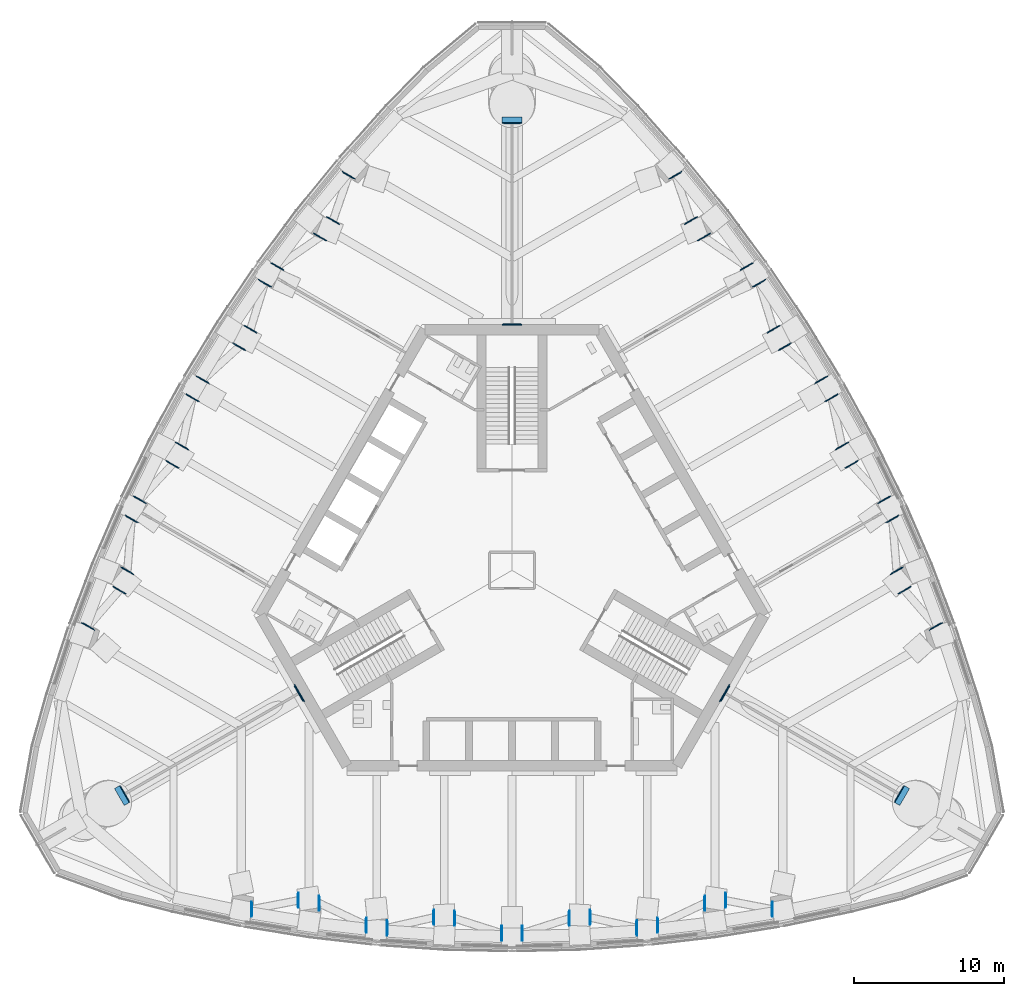
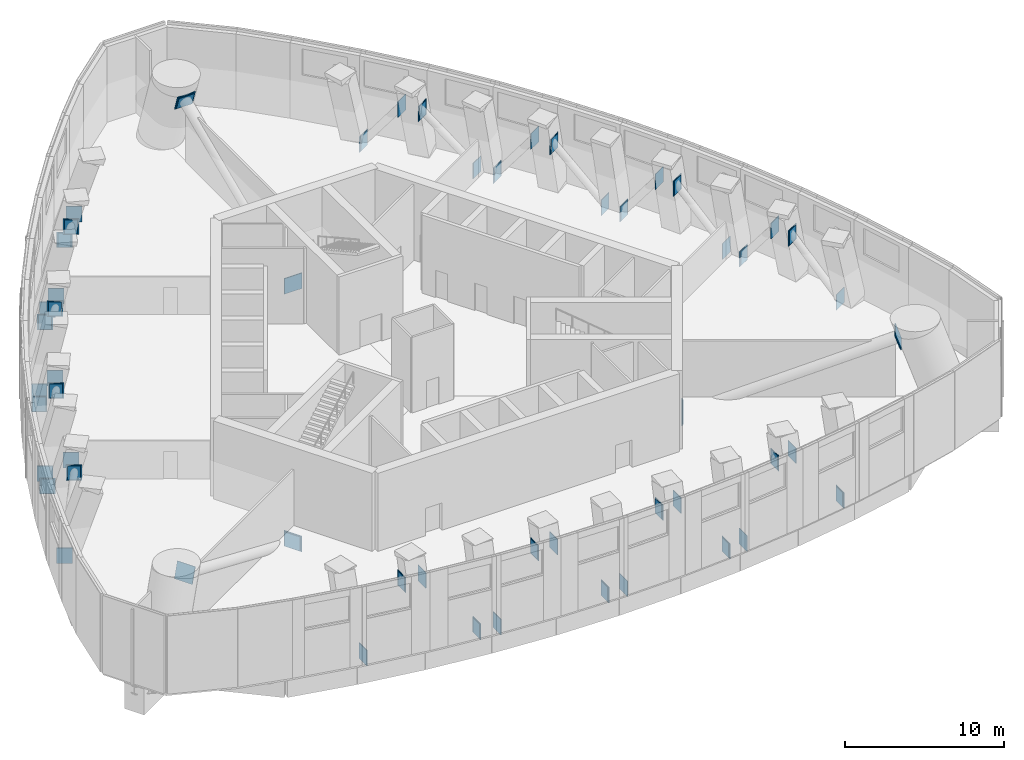
# One storey, part 10 of 22: 54 discrete accessories.
"""IFC4 building model written with IfcOpenShell, lengths in metres."""

import ifcopenshell
import ifcopenshell.guid

model = None  # the IFC model being written
_history = None  # IfcOwnerHistory: only IFC2X3 demands one
_inside = {}  # id of a spatial element -> (the spatial element, [elements in it])
_under = {}  # id of a project, library or spatial element -> (it, [spatial elements below it])
_declared = {}  # id of a project -> (the project, [libraries it declares])
_typed = {}  # id of a type object -> (the type object, [elements of that type])
_made_of = {}  # id of a material, layer set ... -> (it, [elements and type objects made of it])


def new_model(schema):
    """Start an empty IFC model of exactly this schema.

    Asked for "IFC4X3", IfcOpenShell would pick the latest addendum, in which some entities
    have other attributes; the version numbers below select the first issue.
    IFC2X3 requires an IfcOwnerHistory on every rooted entity: one is made here for all.
    """
    global model, _history
    if schema == "IFC4X3":
        model = ifcopenshell.file(schema_version=(4, 3, 0, 0))
    else:
        model = ifcopenshell.file(schema=schema)
    _inside.clear()
    _under.clear()
    _declared.clear()
    _typed.clear()
    _made_of.clear()
    _history = None
    if model.schema == "IFC2X3":
        org = make("IfcOrganization", Name="unknown")
        user = make(
            "IfcPersonAndOrganization",
            ThePerson=make("IfcPerson", FamilyName="unknown"),
            TheOrganization=org,
        )
        app = make(
            "IfcApplication",
            ApplicationDeveloper=org,
            Version="unknown",
            ApplicationFullName="unknown",
            ApplicationIdentifier="unknown",
        )
        _history = make(
            "IfcOwnerHistory",
            OwningUser=user,
            OwningApplication=app,
            ChangeAction="ADDED",
            CreationDate=0,
        )
    return model


def make(cls, **values):
    """One entity of the class cls with the attributes given. An attribute that is None is left unset."""
    return model.create_entity(
        cls, **{name: value for name, value in values.items() if value is not None}
    )


def rooted(cls, **values):
    """An entity with a GlobalId (a new one), such as an element, a storey or a relation."""
    return make(cls, GlobalId=ifcopenshell.guid.new(), OwnerHistory=_history, **values)


def si_unit(unit_type, name, prefix=None):
    """IfcSIUnit, for example si_unit("LENGTHUNIT", "METRE", prefix="MILLI")."""
    return make("IfcSIUnit", UnitType=unit_type, Prefix=prefix, Name=name)


def assignment(units):
    """IfcUnitAssignment: the units of a project."""
    return None if units is None else make("IfcUnitAssignment", Units=units)


def point(xyz):
    """IfcCartesianPoint."""
    return None if xyz is None else make("IfcCartesianPoint", Coordinates=xyz)


def direction(xyz):
    """IfcDirection."""
    return None if xyz is None else make("IfcDirection", DirectionRatios=xyz)


def frame(location, z_axis=None, x_axis=None):
    """IfcAxis2Placement3D, a coordinate frame: its origin and axes. An axis left out is left unset."""
    return make(
        "IfcAxis2Placement3D",
        Location=point(location),
        Axis=direction(z_axis),
        RefDirection=direction(x_axis),
    )


def frame_2d(location, x_axis=None):
    """IfcAxis2Placement2D, a coordinate frame in the plane: its origin and x axis."""
    return make(
        "IfcAxis2Placement2D", Location=point(location), RefDirection=direction(x_axis)
    )


def origin():
    """The frame at (0, 0, 0) with its axes left unset."""
    return frame((0.0, 0.0, 0.0))


def origin_2d():
    """The frame at (0, 0) in the plane with its x axis left unset."""
    return frame_2d((0.0, 0.0))


def place(relative_to, where):
    """IfcLocalPlacement: puts the frame where relative to a parent placement (None: the world)."""
    return make(
        "IfcLocalPlacement", PlacementRelTo=relative_to, RelativePlacement=where
    )


def context(
    kind, dimensions, precision=None, world=None, true_north=None, identifier=None
):
    """IfcGeometricRepresentationContext, for example the 3D "Model" context."""
    return make(
        "IfcGeometricRepresentationContext",
        ContextIdentifier=identifier,
        ContextType=kind,
        CoordinateSpaceDimension=dimensions,
        Precision=precision,
        WorldCoordinateSystem=world,
        TrueNorth=true_north,
    )


def subcontext(parent, identifier, kind, view, scale=None):
    """IfcGeometricRepresentationSubContext, for example "Body" below "Model"."""
    return make(
        "IfcGeometricRepresentationSubContext",
        ContextIdentifier=identifier,
        ContextType=kind,
        ParentContext=parent,
        TargetScale=scale,
        TargetView=view,
    )


def project(units=None, contexts=None):
    """IfcProject with its units and contexts."""
    return rooted(
        "IfcProject",
        Name="project",
        RepresentationContexts=contexts,
        UnitsInContext=assignment(units),
    )


def spatial(cls, under=None, at=None, **own):
    """A site, building, storey or space (cls), placed at a placement, below another one or the project."""
    s = rooted(cls, ObjectPlacement=at, **own)
    if under is not None:
        _under.setdefault(under.id(), (under, []))[1].append(s)
    return s


def profile(cls, at=None, kind="AREA", **sizes):
    """A parametric profile (cls). Its sizes go by their IFC names, for example OverallWidth=200.0."""
    return make(cls, ProfileType=kind, Position=at, **sizes)


def rectangle(**sizes):
    """IfcRectangleProfileDef."""
    return profile("IfcRectangleProfileDef", **sizes)


def extrude(swept, where, along, depth):
    """IfcExtrudedAreaSolid: the profile swept, set in the frame where, extruded along a direction by depth."""
    return make(
        "IfcExtrudedAreaSolid",
        SweptArea=swept,
        Position=where,
        ExtrudedDirection=direction(along),
        Depth=depth,
    )


def shape(context_of_items, identifier, shape_type, items):
    """IfcShapeRepresentation: the items that make up one representation, for example the "Body"."""
    return make(
        "IfcShapeRepresentation",
        ContextOfItems=context_of_items,
        RepresentationIdentifier=identifier,
        RepresentationType=shape_type,
        Items=items,
    )


def material(Name=None, Category=None):
    """IfcMaterial."""
    return make("IfcMaterial", Name=Name, Category=Category)


def made_of(thing, what):
    """Note that an element or type object is made of a material, layer set ...; save() writes the relation."""
    if what is not None:
        _made_of.setdefault(what.id(), (what, []))[1].append(thing)
    return thing


def type_object(cls, material=None, **own):
    """A type object (cls), such as IfcWallType, which elements share."""
    return made_of(rooted(cls, **own), material)


def element(
    cls,
    number,
    at=None,
    inside=None,
    cuts=None,
    type_object=None,
    material=None,
    context=None,
    identifier="Body",
    shape_type=None,
    held_by="IfcProductDefinitionShape",
    body=None,
    shapes=None,
    **own,
):
    """One element of the class cls, such as IfcWall. Its Tag is "e" and its number.

    at: its placement. inside: the storey or other place that contains it. cuts: it is an
    opening in that element (IfcRelVoidsElement). A single representation is given by context,
    identifier, shape_type and body (its items); several are given by shapes. held_by: the class
    of the entity that holds the representations. save() writes the other relations.
    """
    e = rooted(cls, Tag="e%d" % number, ObjectPlacement=at, **own)
    if body is not None:
        shapes = [shape(context, identifier, shape_type, body)]
    if shapes is not None:
        e.Representation = make(held_by, Representations=shapes)
    if inside is not None:
        _inside.setdefault(inside.id(), (inside, []))[1].append(e)
    if cuts is not None:
        rooted(
            "IfcRelVoidsElement", RelatingBuildingElement=cuts, RelatedOpeningElement=e
        )
    if type_object is not None:
        _typed.setdefault(type_object.id(), (type_object, []))[1].append(e)
    return made_of(e, material)


def aggregate(whole, parts):
    """IfcRelAggregates: a whole, such as a stair, and the parts it consists of."""
    return rooted("IfcRelAggregates", RelatingObject=whole, RelatedObjects=parts)


def save(model, path):
    """Write the relations noted so far, then the file.

    IfcRelAggregates (storeys below a building ...), IfcRelContainedInSpatialStructure (elements
    in a storey), IfcRelDefinesByType, IfcRelAssociatesMaterial and IfcRelDeclares: one each for
    every whole, place, type object, material and project.
    """
    for whole, parts in _under.values():
        aggregate(whole, parts)
    for where, things in _inside.values():
        rooted(
            "IfcRelContainedInSpatialStructure",
            RelatedElements=things,
            RelatingStructure=where,
        )
    for kind, things in _typed.values():
        rooted("IfcRelDefinesByType", RelatedObjects=things, RelatingType=kind)
    for what, things in _made_of.values():
        rooted("IfcRelAssociatesMaterial", RelatedObjects=things, RelatingMaterial=what)
    for by, libraries in _declared.values():
        rooted("IfcRelDeclares", RelatingContext=by, RelatedDefinitions=libraries)
    model.write(path)


model = new_model("IFC4")

# Units and contexts
model_context = context("Model", 3, precision=1e-05, world=origin(), true_north=direction((0.0, 1.0)))
body_context = subcontext(model_context, "Body", "Model", "MODEL_VIEW")
ifc_project = project(units=[si_unit("LENGTHUNIT", "METRE"), si_unit("AREAUNIT", "SQUARE_METRE"), si_unit("VOLUMEUNIT", "CUBIC_METRE"), si_unit("PLANEANGLEUNIT", "RADIAN"), si_unit("MASSUNIT", "GRAM", prefix="KILO")], contexts=[model_context])

# Site, building, storey
site_placement = place(None, origin())
site = spatial("IfcSite", under=ifc_project, at=site_placement, CompositionType="ELEMENT")
building_placement = place(site_placement, origin())
building = spatial("IfcBuilding", under=site, at=building_placement, Name="Trefoil Bronze Tower", CompositionType="ELEMENT")
storey_placement = place(building_placement, frame((0.0, 0.0, 265.300048828125)))
storey = spatial("IfcBuildingStorey", under=building, at=storey_placement, Name="L61", CompositionType="ELEMENT", Elevation=265.300048828125)

# Discrete accessories
ifc_material = material(Name="Steel C355", Category="steel")
discrete_accessory_type = type_object("IfcDiscreteAccessoryType", Name="End plate and cast-in plate of a brace connection", PredefinedType="USERDEFINED", material=ifc_material)
for number, where, z_axis, x_axis, name in (
    (1, (-17.300048828125, -22.5341796875, -0.10888671875), (0.0, 0.0, 1.0), (1.0, 0.0, 0.0), "Belt truss diagonal F1.1 L61 end plate and cast-in plate, lower end"),
    (2, (-14.199951171875, -21.9375, 4.058837890625), (0.0, 0.0, 1.0), (-1.0, 0.0, 0.0), "Belt truss diagonal F1.1 L61 end plate and cast-in plate, upper end"),
    (3, (-9.699951171875, -23.6015625, -0.10888671875), (0.0, 0.0, 1.0), (-1.0, 0.0, 0.0), "Belt truss diagonal F1.2 L61 end plate and cast-in plate, lower end"),
    (4, (-12.800048828125, -22.134033203125, 4.058837890625), (0.0, 0.0, 1.0), (1.0, 0.0, 0.0), "Belt truss diagonal F1.2 L61 end plate and cast-in plate, upper end"),
    (5, (-8.300048828125, -23.7744140625, -0.10888671875), (0.0, 0.0, 1.0), (1.0, 0.0, 0.0), "Belt truss diagonal F1.3 L61 end plate and cast-in plate, lower end"),
    (6, (-5.199951171875, -23.072509765625, 4.058837890625), (0.0, 0.0, 1.0), (-1.0, 0.0, 0.0), "Belt truss diagonal F1.3 L61 end plate and cast-in plate, upper end"),
    (7, (-0.699951171875, -24.127197265625, -0.10888671875), (0.0, 0.0, 1.0), (-1.0, 0.0, 0.0), "Belt truss diagonal F1.4 L61 end plate and cast-in plate, lower end"),
    (8, (-3.800048828125, -23.137451171875, 4.058837890625), (0.0, 0.0, 1.0), (1.0, 0.0, 0.0), "Belt truss diagonal F1.4 L61 end plate and cast-in plate, upper end"),
    (9, (0.699951171875, -24.127197265625, -0.10888671875), (0.0, 0.0, 1.0), (1.0, 0.0, 0.0), "Belt truss diagonal F1.5 L61 end plate and cast-in plate, lower end"),
    (10, (3.800048828125, -23.137451171875, 4.058837890625), (0.0, 0.0, 1.0), (-1.0, 0.0, 0.0), "Belt truss diagonal F1.5 L61 end plate and cast-in plate, upper end"),
    (11, (8.300048828125, -23.7744140625, -0.10888671875), (0.0, 0.0, 1.0), (-1.0, 0.0, 0.0), "Belt truss diagonal F1.6 L61 end plate and cast-in plate, lower end"),
    (12, (5.199951171875, -23.072509765625, 4.058837890625), (0.0, 0.0, 1.0), (1.0, 0.0, 0.0), "Belt truss diagonal F1.6 L61 end plate and cast-in plate, upper end"),
    (13, (9.699951171875, -23.6015625, -0.10888671875), (0.0, 0.0, 1.0), (1.0, 0.0, 0.0), "Belt truss diagonal F1.7 L61 end plate and cast-in plate, lower end"),
    (14, (12.800048828125, -22.134033203125, 4.058837890625), (0.0, 0.0, 1.0), (-1.0, 0.0, 0.0), "Belt truss diagonal F1.7 L61 end plate and cast-in plate, upper end"),
    (15, (17.300048828125, -22.5341796875, -0.10888671875), (0.0, 0.0, 1.0), (-1.0, 0.0, 0.0), "Belt truss diagonal F1.8 L61 end plate and cast-in plate, lower end"),
    (16, (14.199951171875, -21.9375, 4.058837890625), (0.0, 0.0, 1.0), (1.0, 0.0, 0.0), "Belt truss diagonal F1.8 L61 end plate and cast-in plate, upper end"),
):
    element("IfcDiscreteAccessory", number, at=place(storey_placement, frame(where, z_axis=z_axis, x_axis=x_axis)), inside=storey, type_object=discrete_accessory_type, Name=name, ObjectType="END PLATE AND CAST-IN PLATE", PredefinedType="USERDEFINED", context=body_context, shape_type="SweptSolid", body=[
        extrude(rectangle(XDim=0.030029296875, YDim=0.827880859375, at=origin_2d()), frame((0.01513671875, 0.0, -0.550048828125)), (0.0, 0.0, 1.0), 1.10009765625),
        extrude(rectangle(XDim=0.0400390625, YDim=1.0, at=origin_2d()), frame((-0.02001953125, 0.0, -0.60009765625)), (0.0, 0.0, 1.0), 1.199951171875),
    ])
for number, where, z_axis, x_axis, name in (
    (17, (28.165283203125, -3.715087890625, -0.10888671875), (0.0, 0.0, 1.0), (-0.499999999907, 0.866025403838, 0.0), "Belt truss diagonal F2.1 L61 end plate and cast-in plate, lower end"),
    (18, (26.098388671875, -1.328857421875, 4.058837890625), (0.0, 0.0, 1.0), (0.499999999907, -0.866025403838, 0.0), "Belt truss diagonal F2.1 L61 end plate and cast-in plate, upper end"),
    (19, (25.28955078125, 3.400390625, -0.10888671875), (0.0, 0.0, 1.0), (0.499999999907, -0.866025403838, 0.0), "Belt truss diagonal F2.2 L61 end plate and cast-in plate, lower end"),
):
    element("IfcDiscreteAccessory", number, at=place(storey_placement, frame(where, z_axis=z_axis, x_axis=x_axis)), inside=storey, type_object=discrete_accessory_type, Name=name, ObjectType="END PLATE AND CAST-IN PLATE", PredefinedType="USERDEFINED", context=body_context, shape_type="SweptSolid", body=[
        extrude(rectangle(XDim=0.030029296875, YDim=0.827880859375, at=origin_2d()), frame((0.014892578125, 0.0, -0.550048828125)), (0.0, 0.0, 1.0), 1.10009765625),
        extrude(rectangle(XDim=0.0400390625, YDim=1.0, at=origin_2d()), frame((-0.02001953125, 0.0, -0.60009765625)), (0.0, 0.0, 1.0), 1.199951171875),
    ])
discrete_accessory_1_placement = place(storey_placement, frame((25.568603515625, -0.01806640625, 4.058837890625), z_axis=(0.0, 0.0, 1.0), x_axis=(-0.499999999907, 0.866025403838, 0.0)))
element("IfcDiscreteAccessory", 20, at=discrete_accessory_1_placement, inside=storey, type_object=discrete_accessory_type, Name="Belt truss diagonal F2.2 L61 end plate and cast-in plate, upper end", ObjectType="END PLATE AND CAST-IN PLATE", PredefinedType="USERDEFINED", context=body_context, shape_type="SweptSolid", body=[
    extrude(rectangle(XDim=0.030029296875, YDim=0.827880859375, at=origin_2d()), frame((0.014892578125, -0.000244140625, -0.550048828125)), (0.0, 0.0, 1.0), 1.10009765625),
    extrude(rectangle(XDim=0.0400390625, YDim=1.0, at=origin_2d()), frame((-0.02001953125, 0.0, -0.60009765625)), (0.0, 0.0, 1.0), 1.199951171875),
])
discrete_accessory_2_placement = place(storey_placement, frame((24.7392578125, 4.69921875, -0.10888671875), z_axis=(0.0, 0.0, 1.0), x_axis=(-0.499999999907, 0.866025403838, 0.0)))
element("IfcDiscreteAccessory", 21, at=discrete_accessory_2_placement, inside=storey, type_object=discrete_accessory_type, Name="Belt truss diagonal F2.3 L61 end plate and cast-in plate, lower end", ObjectType="END PLATE AND CAST-IN PLATE", PredefinedType="USERDEFINED", context=body_context, shape_type="SweptSolid", body=[
    extrude(rectangle(XDim=0.030029296875, YDim=0.827880859375, at=origin_2d()), frame((0.014892578125, 0.0, -0.550048828125)), (0.0, 0.0, 1.0), 1.10009765625),
    extrude(rectangle(XDim=0.0400390625, YDim=1.0, at=origin_2d()), frame((-0.02001953125, 0.0, -0.60009765625)), (0.0, 0.0, 1.0), 1.199951171875),
])
discrete_accessory_3_placement = place(storey_placement, frame((22.581298828125, 7.032958984375, 4.058837890625), z_axis=(0.0, 0.0, 1.0), x_axis=(0.499999999907, -0.866025403838, 0.0)))
element("IfcDiscreteAccessory", 22, at=discrete_accessory_3_placement, inside=storey, type_object=discrete_accessory_type, Name="Belt truss diagonal F2.3 L61 end plate and cast-in plate, upper end", ObjectType="END PLATE AND CAST-IN PLATE", PredefinedType="USERDEFINED", context=body_context, shape_type="SweptSolid", body=[
    extrude(rectangle(XDim=0.030029296875, YDim=0.827880859375, at=origin_2d()), frame((0.01513671875, 0.0, -0.550048828125)), (0.0, 0.0, 1.0), 1.10009765625),
    extrude(rectangle(XDim=0.0400390625, YDim=1.0, at=origin_2d()), frame((-0.02001953125, 0.0, -0.60009765625)), (0.0, 0.0, 1.0), 1.199951171875),
])
discrete_accessory_4_placement = place(storey_placement, frame((21.24462890625, 11.457275390625, -0.10888671875), z_axis=(0.0, 0.0, 1.0), x_axis=(0.499999999907, -0.866025403838, 0.0)))
element("IfcDiscreteAccessory", 23, at=discrete_accessory_4_placement, inside=storey, type_object=discrete_accessory_type, Name="Belt truss diagonal F2.4 L61 end plate and cast-in plate, lower end", ObjectType="END PLATE AND CAST-IN PLATE", PredefinedType="USERDEFINED", context=body_context, shape_type="SweptSolid", body=[
    extrude(rectangle(XDim=0.030029296875, YDim=0.827880859375, at=origin_2d()), frame((0.014892578125, 0.0, -0.550048828125)), (0.0, 0.0, 1.0), 1.10009765625),
    extrude(rectangle(XDim=0.0400390625, YDim=1.0, at=origin_2d()), frame((-0.02001953125, 0.0, -0.60009765625)), (0.0, 0.0, 1.0), 1.199951171875),
])
discrete_accessory_5_placement = place(storey_placement, frame((21.9375, 8.27783203125, 4.058837890625), z_axis=(0.0, 0.0, 1.0), x_axis=(-0.499999999907, 0.866025403838, 0.0)))
element("IfcDiscreteAccessory", 24, at=discrete_accessory_5_placement, inside=storey, type_object=discrete_accessory_type, Name="Belt truss diagonal F2.4 L61 end plate and cast-in plate, upper end", ObjectType="END PLATE AND CAST-IN PLATE", PredefinedType="USERDEFINED", context=body_context, shape_type="SweptSolid", body=[
    extrude(rectangle(XDim=0.030029296875, YDim=0.827880859375, at=origin_2d()), frame((0.014892578125, -0.000244140625, -0.550048828125)), (0.0, 0.0, 1.0), 1.10009765625),
    extrude(rectangle(XDim=0.0400390625, YDim=1.0, at=origin_2d()), frame((-0.02001953125, 0.0, -0.60009765625)), (0.0, 0.0, 1.0), 1.199951171875),
])
discrete_accessory_6_placement = place(storey_placement, frame((20.544677734375, 12.669677734375, -0.10888671875), z_axis=(0.0, 0.0, 1.0), x_axis=(-0.499999999907, 0.866025403838, 0.0)))
element("IfcDiscreteAccessory", 25, at=discrete_accessory_6_placement, inside=storey, type_object=discrete_accessory_type, Name="Belt truss diagonal F2.5 L61 end plate and cast-in plate, lower end", ObjectType="END PLATE AND CAST-IN PLATE", PredefinedType="USERDEFINED", context=body_context, shape_type="SweptSolid", body=[
    extrude(rectangle(XDim=0.030029296875, YDim=0.827880859375, at=origin_2d()), frame((0.01513671875, 0.0, -0.550048828125)), (0.0, 0.0, 1.0), 1.10009765625),
    extrude(rectangle(XDim=0.0400390625, YDim=1.0, at=origin_2d()), frame((-0.019775390625, -0.000244140625, -0.60009765625)), (0.0, 0.0, 1.0), 1.199951171875),
])
for number, where, z_axis, x_axis, name in (
    (26, (18.137451171875, 14.859619140625, 4.058837890625), (0.0, 0.0, 1.0), (0.499999999907, -0.866025403838, 0.0), "Belt truss diagonal F2.5 L61 end plate and cast-in plate, upper end"),
    (27, (16.439208984375, 19.0751953125, -0.10888671875), (0.0, 0.0, 1.0), (0.499999999907, -0.866025403838, 0.0), "Belt truss diagonal F2.6 L61 end plate and cast-in plate, lower end"),
    (28, (17.38134765625, 16.03955078125, 4.058837890625), (0.0, 0.0, 1.0), (-0.499999999907, 0.866025403838, 0.0), "Belt truss diagonal F2.6 L61 end plate and cast-in plate, upper end"),
):
    element("IfcDiscreteAccessory", number, at=place(storey_placement, frame(where, z_axis=z_axis, x_axis=x_axis)), inside=storey, type_object=discrete_accessory_type, Name=name, ObjectType="END PLATE AND CAST-IN PLATE", PredefinedType="USERDEFINED", context=body_context, shape_type="SweptSolid", body=[
        extrude(rectangle(XDim=0.030029296875, YDim=0.827880859375, at=origin_2d()), frame((0.014892578125, 0.0, -0.550048828125)), (0.0, 0.0, 1.0), 1.10009765625),
        extrude(rectangle(XDim=0.0400390625, YDim=1.0, at=origin_2d()), frame((-0.02001953125, 0.0, -0.60009765625)), (0.0, 0.0, 1.0), 1.199951171875),
    ])
discrete_accessory_7_placement = place(storey_placement, frame((15.589599609375, 20.201171875, -0.10888671875), z_axis=(0.0, 0.0, 1.0), x_axis=(-0.499999999907, 0.866025403838, 0.0)))
element("IfcDiscreteAccessory", 29, at=discrete_accessory_7_placement, inside=storey, type_object=discrete_accessory_type, Name="Belt truss diagonal F2.7 L61 end plate and cast-in plate, lower end", ObjectType="END PLATE AND CAST-IN PLATE", PredefinedType="USERDEFINED", context=body_context, shape_type="SweptSolid", body=[
    extrude(rectangle(XDim=0.030029296875, YDim=0.827880859375, at=origin_2d()), frame((0.01513671875, 0.0, -0.550048828125)), (0.0, 0.0, 1.0), 1.10009765625),
    extrude(rectangle(XDim=0.0400390625, YDim=1.0, at=origin_2d()), frame((-0.02001953125, 0.0, -0.60009765625)), (0.0, 0.0, 1.0), 1.199951171875),
])
discrete_accessory_8_placement = place(storey_placement, frame((12.768798828125, 22.152099609375, 4.058837890625), z_axis=(0.0, 0.0, 1.0), x_axis=(0.499999999907, -0.866025403838, 0.0)))
element("IfcDiscreteAccessory", 30, at=discrete_accessory_8_placement, inside=storey, type_object=discrete_accessory_type, Name="Belt truss diagonal F2.7 L61 end plate and cast-in plate, upper end", ObjectType="END PLATE AND CAST-IN PLATE", PredefinedType="USERDEFINED", context=body_context, shape_type="SweptSolid", body=[
    extrude(rectangle(XDim=0.030029296875, YDim=0.827880859375, at=origin_2d()), frame((0.014892578125, -0.000244140625, -0.550048828125)), (0.0, 0.0, 1.0), 1.10009765625),
    extrude(rectangle(XDim=0.0400390625, YDim=1.0, at=origin_2d()), frame((-0.02001953125, 0.0, -0.60009765625)), (0.0, 0.0, 1.0), 1.199951171875),
])
for number, where, z_axis, x_axis, name in (
    (31, (10.865234375, 26.249267578125, -0.10888671875), (0.0, 0.0, 1.0), (0.499999999907, -0.866025403838, 0.0), "Belt truss diagonal F2.8 L61 end plate and cast-in plate, lower end"),
    (32, (11.8984375, 23.266357421875, 4.058837890625), (0.0, 0.0, 1.0), (-0.499999999907, 0.866025403838, 0.0), "Belt truss diagonal F2.8 L61 end plate and cast-in plate, upper end"),
    (33, (-10.865234375, 26.249267578125, -0.10888671875), (0.0, 0.0, 1.0), (-0.499999999907, -0.866025403838, 0.0), "Belt truss diagonal F3.1 L61 end plate and cast-in plate, lower end"),
    (34, (-11.8984375, 23.266357421875, 4.058837890625), (0.0, 0.0, 1.0), (0.499999999907, 0.866025403838, 0.0), "Belt truss diagonal F3.1 L61 end plate and cast-in plate, upper end"),
):
    element("IfcDiscreteAccessory", number, at=place(storey_placement, frame(where, z_axis=z_axis, x_axis=x_axis)), inside=storey, type_object=discrete_accessory_type, Name=name, ObjectType="END PLATE AND CAST-IN PLATE", PredefinedType="USERDEFINED", context=body_context, shape_type="SweptSolid", body=[
        extrude(rectangle(XDim=0.030029296875, YDim=0.827880859375, at=origin_2d()), frame((0.014892578125, 0.0, -0.550048828125)), (0.0, 0.0, 1.0), 1.10009765625),
        extrude(rectangle(XDim=0.0400390625, YDim=1.0, at=origin_2d()), frame((-0.02001953125, 0.0, -0.60009765625)), (0.0, 0.0, 1.0), 1.199951171875),
    ])
discrete_accessory_9_placement = place(storey_placement, frame((-15.589599609375, 20.201171875, -0.10888671875), z_axis=(0.0, 0.0, 1.0), x_axis=(0.499999999907, 0.866025403838, 0.0)))
element("IfcDiscreteAccessory", 35, at=discrete_accessory_9_placement, inside=storey, type_object=discrete_accessory_type, Name="Belt truss diagonal F3.2 L61 end plate and cast-in plate, lower end", ObjectType="END PLATE AND CAST-IN PLATE", PredefinedType="USERDEFINED", context=body_context, shape_type="SweptSolid", body=[
    extrude(rectangle(XDim=0.030029296875, YDim=0.827880859375, at=origin_2d()), frame((0.01513671875, 0.0, -0.550048828125)), (0.0, 0.0, 1.0), 1.10009765625),
    extrude(rectangle(XDim=0.0400390625, YDim=1.0, at=origin_2d()), frame((-0.02001953125, 0.0, -0.60009765625)), (0.0, 0.0, 1.0), 1.199951171875),
])
discrete_accessory_10_placement = place(storey_placement, frame((-12.768798828125, 22.152099609375, 4.058837890625), z_axis=(0.0, 0.0, 1.0), x_axis=(-0.499999999907, -0.866025403838, 0.0)))
element("IfcDiscreteAccessory", 36, at=discrete_accessory_10_placement, inside=storey, type_object=discrete_accessory_type, Name="Belt truss diagonal F3.2 L61 end plate and cast-in plate, upper end", ObjectType="END PLATE AND CAST-IN PLATE", PredefinedType="USERDEFINED", context=body_context, shape_type="SweptSolid", body=[
    extrude(rectangle(XDim=0.030029296875, YDim=0.827880859375, at=origin_2d()), frame((0.014892578125, 0.000244140625, -0.550048828125)), (0.0, 0.0, 1.0), 1.10009765625),
    extrude(rectangle(XDim=0.0400390625, YDim=1.0, at=origin_2d()), frame((-0.02001953125, 0.0, -0.60009765625)), (0.0, 0.0, 1.0), 1.199951171875),
])
for number, where, z_axis, x_axis, name in (
    (37, (-16.439208984375, 19.0751953125, -0.10888671875), (0.0, 0.0, 1.0), (-0.499999999907, -0.866025403838, 0.0), "Belt truss diagonal F3.3 L61 end plate and cast-in plate, lower end"),
    (38, (-17.38134765625, 16.03955078125, 4.058837890625), (0.0, 0.0, 1.0), (0.499999999907, 0.866025403838, 0.0), "Belt truss diagonal F3.3 L61 end plate and cast-in plate, upper end"),
):
    element("IfcDiscreteAccessory", number, at=place(storey_placement, frame(where, z_axis=z_axis, x_axis=x_axis)), inside=storey, type_object=discrete_accessory_type, Name=name, ObjectType="END PLATE AND CAST-IN PLATE", PredefinedType="USERDEFINED", context=body_context, shape_type="SweptSolid", body=[
        extrude(rectangle(XDim=0.030029296875, YDim=0.827880859375, at=origin_2d()), frame((0.014892578125, 0.0, -0.550048828125)), (0.0, 0.0, 1.0), 1.10009765625),
        extrude(rectangle(XDim=0.0400390625, YDim=1.0, at=origin_2d()), frame((-0.02001953125, 0.0, -0.60009765625)), (0.0, 0.0, 1.0), 1.199951171875),
    ])
discrete_accessory_11_placement = place(storey_placement, frame((-20.544677734375, 12.669677734375, -0.10888671875), z_axis=(0.0, 0.0, 1.0), x_axis=(0.499999999907, 0.866025403838, 0.0)))
element("IfcDiscreteAccessory", 39, at=discrete_accessory_11_placement, inside=storey, type_object=discrete_accessory_type, Name="Belt truss diagonal F3.4 L61 end plate and cast-in plate, lower end", ObjectType="END PLATE AND CAST-IN PLATE", PredefinedType="USERDEFINED", context=body_context, shape_type="SweptSolid", body=[
    extrude(rectangle(XDim=0.030029296875, YDim=0.827880859375, at=origin_2d()), frame((0.01513671875, 0.0, -0.550048828125)), (0.0, 0.0, 1.0), 1.10009765625),
    extrude(rectangle(XDim=0.0400390625, YDim=1.0, at=origin_2d()), frame((-0.019775390625, 0.000244140625, -0.60009765625)), (0.0, 0.0, 1.0), 1.199951171875),
])
for number, where, z_axis, x_axis, name in (
    (40, (-18.137451171875, 14.859619140625, 4.058837890625), (0.0, 0.0, 1.0), (-0.499999999907, -0.866025403838, 0.0), "Belt truss diagonal F3.4 L61 end plate and cast-in plate, upper end"),
    (41, (-21.24462890625, 11.457275390625, -0.10888671875), (0.0, 0.0, 1.0), (-0.499999999907, -0.866025403838, 0.0), "Belt truss diagonal F3.5 L61 end plate and cast-in plate, lower end"),
):
    element("IfcDiscreteAccessory", number, at=place(storey_placement, frame(where, z_axis=z_axis, x_axis=x_axis)), inside=storey, type_object=discrete_accessory_type, Name=name, ObjectType="END PLATE AND CAST-IN PLATE", PredefinedType="USERDEFINED", context=body_context, shape_type="SweptSolid", body=[
        extrude(rectangle(XDim=0.030029296875, YDim=0.827880859375, at=origin_2d()), frame((0.014892578125, 0.0, -0.550048828125)), (0.0, 0.0, 1.0), 1.10009765625),
        extrude(rectangle(XDim=0.0400390625, YDim=1.0, at=origin_2d()), frame((-0.02001953125, 0.0, -0.60009765625)), (0.0, 0.0, 1.0), 1.199951171875),
    ])
discrete_accessory_12_placement = place(storey_placement, frame((-21.9375, 8.27783203125, 4.058837890625), z_axis=(0.0, 0.0, 1.0), x_axis=(0.499999999907, 0.866025403838, 0.0)))
element("IfcDiscreteAccessory", 42, at=discrete_accessory_12_placement, inside=storey, type_object=discrete_accessory_type, Name="Belt truss diagonal F3.5 L61 end plate and cast-in plate, upper end", ObjectType="END PLATE AND CAST-IN PLATE", PredefinedType="USERDEFINED", context=body_context, shape_type="SweptSolid", body=[
    extrude(rectangle(XDim=0.030029296875, YDim=0.827880859375, at=origin_2d()), frame((0.014892578125, 0.000244140625, -0.550048828125)), (0.0, 0.0, 1.0), 1.10009765625),
    extrude(rectangle(XDim=0.0400390625, YDim=1.0, at=origin_2d()), frame((-0.02001953125, 0.0, -0.60009765625)), (0.0, 0.0, 1.0), 1.199951171875),
])
discrete_accessory_13_placement = place(storey_placement, frame((-24.7392578125, 4.69921875, -0.10888671875), z_axis=(0.0, 0.0, 1.0), x_axis=(0.499999999907, 0.866025403838, 0.0)))
element("IfcDiscreteAccessory", 43, at=discrete_accessory_13_placement, inside=storey, type_object=discrete_accessory_type, Name="Belt truss diagonal F3.6 L61 end plate and cast-in plate, lower end", ObjectType="END PLATE AND CAST-IN PLATE", PredefinedType="USERDEFINED", context=body_context, shape_type="SweptSolid", body=[
    extrude(rectangle(XDim=0.030029296875, YDim=0.827880859375, at=origin_2d()), frame((0.014892578125, 0.0, -0.550048828125)), (0.0, 0.0, 1.0), 1.10009765625),
    extrude(rectangle(XDim=0.0400390625, YDim=1.0, at=origin_2d()), frame((-0.02001953125, 0.0, -0.60009765625)), (0.0, 0.0, 1.0), 1.199951171875),
])
discrete_accessory_14_placement = place(storey_placement, frame((-22.581298828125, 7.032958984375, 4.058837890625), z_axis=(0.0, 0.0, 1.0), x_axis=(-0.499999999907, -0.866025403838, 0.0)))
element("IfcDiscreteAccessory", 44, at=discrete_accessory_14_placement, inside=storey, type_object=discrete_accessory_type, Name="Belt truss diagonal F3.6 L61 end plate and cast-in plate, upper end", ObjectType="END PLATE AND CAST-IN PLATE", PredefinedType="USERDEFINED", context=body_context, shape_type="SweptSolid", body=[
    extrude(rectangle(XDim=0.030029296875, YDim=0.827880859375, at=origin_2d()), frame((0.01513671875, 0.0, -0.550048828125)), (0.0, 0.0, 1.0), 1.10009765625),
    extrude(rectangle(XDim=0.0400390625, YDim=1.0, at=origin_2d()), frame((-0.02001953125, 0.0, -0.60009765625)), (0.0, 0.0, 1.0), 1.199951171875),
])
discrete_accessory_15_placement = place(storey_placement, frame((-25.28955078125, 3.400390625, -0.10888671875), z_axis=(0.0, 0.0, 1.0), x_axis=(-0.499999999907, -0.866025403838, 0.0)))
element("IfcDiscreteAccessory", 45, at=discrete_accessory_15_placement, inside=storey, type_object=discrete_accessory_type, Name="Belt truss diagonal F3.7 L61 end plate and cast-in plate, lower end", ObjectType="END PLATE AND CAST-IN PLATE", PredefinedType="USERDEFINED", context=body_context, shape_type="SweptSolid", body=[
    extrude(rectangle(XDim=0.030029296875, YDim=0.827880859375, at=origin_2d()), frame((0.014892578125, 0.0, -0.550048828125)), (0.0, 0.0, 1.0), 1.10009765625),
    extrude(rectangle(XDim=0.0400390625, YDim=1.0, at=origin_2d()), frame((-0.02001953125, 0.0, -0.60009765625)), (0.0, 0.0, 1.0), 1.199951171875),
])
discrete_accessory_16_placement = place(storey_placement, frame((-25.568603515625, -0.01806640625, 4.058837890625), z_axis=(0.0, 0.0, 1.0), x_axis=(0.499999999907, 0.866025403838, 0.0)))
element("IfcDiscreteAccessory", 46, at=discrete_accessory_16_placement, inside=storey, type_object=discrete_accessory_type, Name="Belt truss diagonal F3.7 L61 end plate and cast-in plate, upper end", ObjectType="END PLATE AND CAST-IN PLATE", PredefinedType="USERDEFINED", context=body_context, shape_type="SweptSolid", body=[
    extrude(rectangle(XDim=0.030029296875, YDim=0.827880859375, at=origin_2d()), frame((0.014892578125, 0.000244140625, -0.550048828125)), (0.0, 0.0, 1.0), 1.10009765625),
    extrude(rectangle(XDim=0.0400390625, YDim=1.0, at=origin_2d()), frame((-0.02001953125, 0.0, -0.60009765625)), (0.0, 0.0, 1.0), 1.199951171875),
])
for number, where, z_axis, x_axis, name in (
    (47, (-28.165283203125, -3.715087890625, -0.10888671875), (0.0, 0.0, 1.0), (0.499999999907, 0.866025403838, 0.0), "Belt truss diagonal F3.8 L61 end plate and cast-in plate, lower end"),
    (48, (-26.098388671875, -1.328857421875, 4.058837890625), (0.0, 0.0, 1.0), (-0.499999999907, -0.866025403838, 0.0), "Belt truss diagonal F3.8 L61 end plate and cast-in plate, upper end"),
):
    element("IfcDiscreteAccessory", number, at=place(storey_placement, frame(where, z_axis=z_axis, x_axis=x_axis)), inside=storey, type_object=discrete_accessory_type, Name=name, ObjectType="END PLATE AND CAST-IN PLATE", PredefinedType="USERDEFINED", context=body_context, shape_type="SweptSolid", body=[
        extrude(rectangle(XDim=0.030029296875, YDim=0.827880859375, at=origin_2d()), frame((0.014892578125, 0.0, -0.550048828125)), (0.0, 0.0, 1.0), 1.10009765625),
        extrude(rectangle(XDim=0.0400390625, YDim=1.0, at=origin_2d()), frame((-0.02001953125, 0.0, -0.60009765625)), (0.0, 0.0, 1.0), 1.199951171875),
    ])
discrete_accessory_17_placement = place(storey_placement, frame((14.159423828125, -8.175048828125, -1.228515625), z_axis=(0.0, 0.0, 1.0), x_axis=(0.866025403838, -0.499999999907, 0.0)))
element("IfcDiscreteAccessory", 49, at=discrete_accessory_17_placement, inside=storey, type_object=discrete_accessory_type, Name="Outrigger brace K1 L61 end plate and cast-in plate, core end", ObjectType="END PLATE AND CAST-IN PLATE", PredefinedType="USERDEFINED", context=body_context, shape_type="SweptSolid", body=[
    extrude(rectangle(XDim=0.050048828125, YDim=1.133056640625, at=origin_2d()), frame((0.025146484375, 0.0, -0.550048828125)), (0.0, 0.0, 1.0), 1.10009765625),
    extrude(rectangle(XDim=0.06005859375, YDim=1.300048828125, at=origin_2d()), frame((-0.030029296875, 0.000244140625, -0.60009765625)), (0.0, 0.0, 1.0), 1.199951171875),
])
discrete_accessory_18_placement = place(storey_placement, frame((25.888671875, -14.94677734375, 4.57568359375), z_axis=(-0.273861278995, 0.158113882997, 0.948683297982), x_axis=(-0.821583836145, 0.474341649084, -0.316227766221)))
element("IfcDiscreteAccessory", 50, at=discrete_accessory_18_placement, inside=storey, type_object=discrete_accessory_type, Name="Outrigger brace K1 L61 end plate and cast-in plate, mega column end", ObjectType="END PLATE AND CAST-IN PLATE", PredefinedType="USERDEFINED", context=body_context, shape_type="SweptSolid", body=[
    extrude(rectangle(XDim=0.050048828125, YDim=1.133056640625, at=origin_2d()), frame((0.02490234375, 0.0, -0.52490234375)), (0.0, 0.0, 1.0), 1.050048828125),
    extrude(rectangle(XDim=0.06005859375, YDim=1.300048828125, at=origin_2d()), frame((-0.030029296875, 0.0, -0.599853515625)), (0.0, 0.0, 1.0), 1.199951171875),
])
discrete_accessory_19_placement = place(storey_placement, frame((0.0, 16.35009765625, -1.228515625), z_axis=(0.0, 0.0, 1.0), x_axis=(0.0, 1.0, 0.0)))
element("IfcDiscreteAccessory", 51, at=discrete_accessory_19_placement, inside=storey, type_object=discrete_accessory_type, Name="Outrigger brace K2 L61 end plate and cast-in plate, core end", ObjectType="END PLATE AND CAST-IN PLATE", PredefinedType="USERDEFINED", context=body_context, shape_type="SweptSolid", body=[
    extrude(rectangle(XDim=0.050048828125, YDim=1.133056640625, at=origin_2d()), frame((0.02490234375, 0.0, -0.550048828125)), (0.0, 0.0, 1.0), 1.10009765625),
    extrude(rectangle(XDim=0.06005859375, YDim=1.300048828125, at=origin_2d()), frame((-0.030029296875, 0.0, -0.60009765625)), (0.0, 0.0, 1.0), 1.199951171875),
])
discrete_accessory_20_placement = place(storey_placement, frame((0.0, 29.8935546875, 4.57568359375), z_axis=(0.0, -0.316227766017, 0.948683298051), x_axis=(0.0, -0.948683298051, -0.316227766017)))
element("IfcDiscreteAccessory", 52, at=discrete_accessory_20_placement, inside=storey, type_object=discrete_accessory_type, Name="Outrigger brace K2 L61 end plate and cast-in plate, mega column end", ObjectType="END PLATE AND CAST-IN PLATE", PredefinedType="USERDEFINED", context=body_context, shape_type="SweptSolid", body=[
    extrude(rectangle(XDim=0.050048828125, YDim=1.133056640625, at=origin_2d()), frame((0.02490234375, 0.0, -0.52490234375)), (0.0, 0.0, 1.0), 1.050048828125),
    extrude(rectangle(XDim=0.06005859375, YDim=1.300048828125, at=origin_2d()), frame((-0.030029296875, 0.0, -0.60009765625)), (0.0, 0.0, 1.0), 1.199951171875),
])
discrete_accessory_21_placement = place(storey_placement, frame((-14.159423828125, -8.175048828125, -1.228515625), z_axis=(0.0, 0.0, 1.0), x_axis=(-0.866025403838, -0.499999999907, 0.0)))
element("IfcDiscreteAccessory", 53, at=discrete_accessory_21_placement, inside=storey, type_object=discrete_accessory_type, Name="Outrigger brace K3 L61 end plate and cast-in plate, core end", ObjectType="END PLATE AND CAST-IN PLATE", PredefinedType="USERDEFINED", context=body_context, shape_type="SweptSolid", body=[
    extrude(rectangle(XDim=0.050048828125, YDim=1.133056640625, at=origin_2d()), frame((0.025146484375, 0.0, -0.550048828125)), (0.0, 0.0, 1.0), 1.10009765625),
    extrude(rectangle(XDim=0.06005859375, YDim=1.300048828125, at=origin_2d()), frame((-0.030029296875, -0.000244140625, -0.60009765625)), (0.0, 0.0, 1.0), 1.199951171875),
])
discrete_accessory_22_placement = place(storey_placement, frame((-25.888671875, -14.94677734375, 4.57568359375), z_axis=(0.273861278995, 0.158113882997, 0.948683297982), x_axis=(0.821583836145, 0.474341649084, -0.316227766221)))
element("IfcDiscreteAccessory", 54, at=discrete_accessory_22_placement, inside=storey, type_object=discrete_accessory_type, Name="Outrigger brace K3 L61 end plate and cast-in plate, mega column end", ObjectType="END PLATE AND CAST-IN PLATE", PredefinedType="USERDEFINED", context=body_context, shape_type="SweptSolid", body=[
    extrude(rectangle(XDim=0.050048828125, YDim=1.133056640625, at=origin_2d()), frame((0.02490234375, 0.0, -0.52490234375)), (0.0, 0.0, 1.0), 1.050048828125),
    extrude(rectangle(XDim=0.06005859375, YDim=1.300048828125, at=origin_2d()), frame((-0.030029296875, 0.0, -0.599853515625)), (0.0, 0.0, 1.0), 1.199951171875),
])

save(model, "model.ifc")
